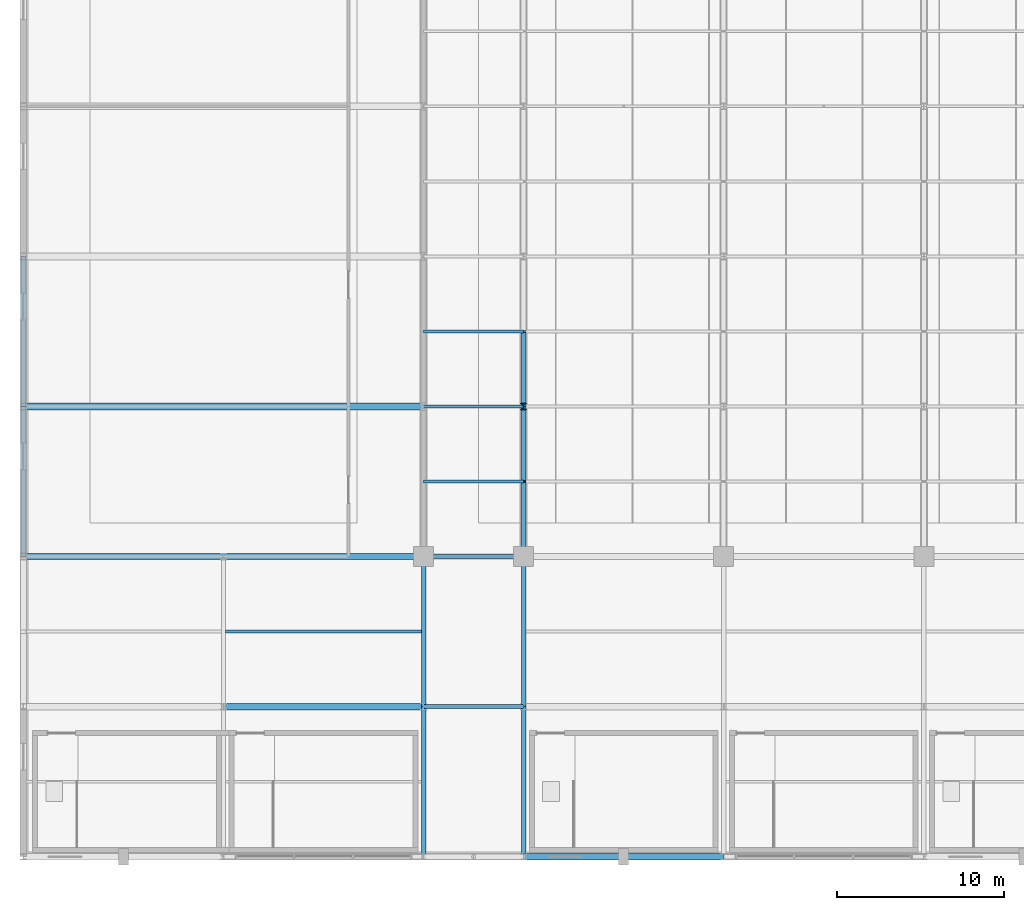
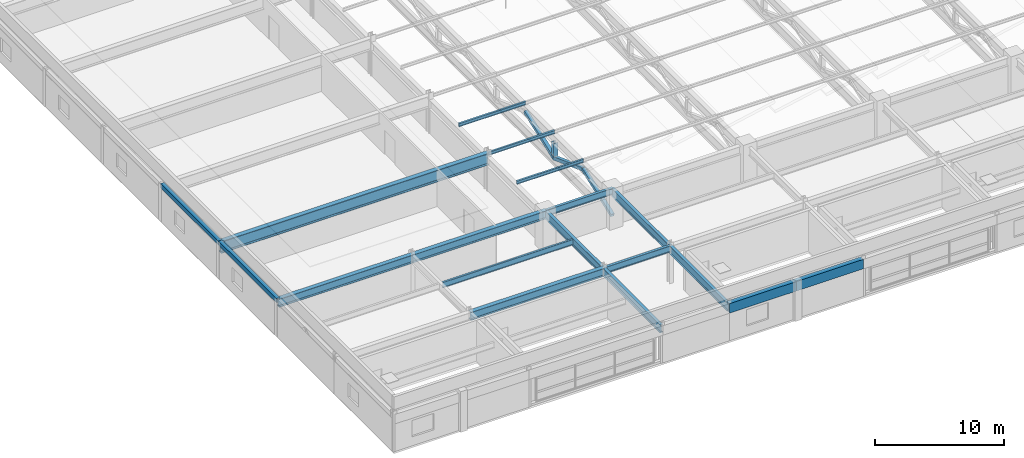
# One storey, part 22 of 108: 15 beams, 7 members.
"""IFC4 building model written with IfcOpenShell, lengths in metres."""

from ifc_helpers import new_model, si_unit, direction, frame, origin, origin_2d, place, context, subcontext, project, spatial, rectangle, hollow_rectangle, i_section, extrude, material, material_profile, profile_set, type_object, element, save


model = new_model("IFC4")

# Units and contexts
model_context = context("Model", 3, precision=1e-05, world=origin(), true_north=direction((0.0, 1.0)))
body_context = subcontext(model_context, "Body", "Model", "MODEL_VIEW")
ifc_project = project(units=[si_unit("LENGTHUNIT", "METRE"), si_unit("AREAUNIT", "SQUARE_METRE"), si_unit("VOLUMEUNIT", "CUBIC_METRE"), si_unit("PLANEANGLEUNIT", "RADIAN"), si_unit("MASSUNIT", "GRAM", prefix="KILO")], contexts=[model_context])

# Site, building, storey
site_placement = place(None, origin())
site = spatial("IfcSite", under=ifc_project, at=site_placement, CompositionType="ELEMENT")
building_placement = place(site_placement, origin())
building = spatial("IfcBuilding", under=site, at=building_placement, Name="Kaldorvane Square Convention Centre", CompositionType="ELEMENT")
storey_placement = place(building_placement, frame((0.0, 0.0, 23.399993896484375)))
storey = spatial("IfcBuildingStorey", under=building, at=storey_placement, Name="L04", CompositionType="ELEMENT", Elevation=23.399993896484375)

# Beams
ifc_material_1 = material(Name="Steel ASTM A992 Gr. 50", Category="steel")
ifc_material_profile_1 = material_profile(ifc_material_1, i_section(OverallWidth=0.2303009033203125, OverallDepth=0.61749267578125, WebThickness=0.0131072998046875, FlangeThickness=0.0222015380859375, FilletRadius=0.0126953125, at=origin_2d()), Name="W24X94")
ifc_profile_set_1 = profile_set([ifc_material_profile_1], Name="Steel ASTM A992 Gr. 50")
beam_type_1 = type_object("IfcBeamType", Name="BM-GR-W24X94", PredefinedType="BEAM", material=ifc_profile_set_1)
for number, where, z_axis, x_axis, name in (
    (1, (24.0, 9.0, 3.2172088623046875), (1.0, 0.0, 0.0), (0.0, 1.0, 0.0), "Primary Girder (L04)"),
    (2, (24.0, 18.0, 3.2172088623046875), (1.0, 0.0, 0.0), (0.0, 1.0, 0.0), "Primary Girder (L04)"),
):
    element("IfcBeam", number, at=place(storey_placement, frame(where, z_axis=z_axis, x_axis=x_axis)), inside=storey, type_object=beam_type_1, Name=name, PredefinedType="BEAM", context=body_context, shape_type="SweptSolid", body=[
        extrude(i_section(OverallWidth=0.2303009033203125, OverallDepth=0.61749267578125, WebThickness=0.0131072998046875, FlangeThickness=0.0222015380859375, FilletRadius=0.0126953125, at=origin_2d()), origin(), (0.0, 0.0, 1.0), 6.0),
    ])
ifc_material_profile_2 = material_profile(ifc_material_1, i_section(OverallWidth=0.2666015625, OverallDepth=0.762298583984375, WebThickness=0.014404296875, FlangeThickness=0.0216064453125, FilletRadius=0.0164947509765625, at=origin_2d()), Name="W30X116")
ifc_profile_set_2 = profile_set([ifc_material_profile_2], Name="Steel ASTM A992 Gr. 50")
beam_type_2 = type_object("IfcBeamType", Name="BM-GR-W30X116", PredefinedType="BEAM", material=ifc_profile_set_2)
for number, where, z_axis, x_axis, name in (
    (3, (24.0, 0.0, 3.144805908203125), (0.0, 1.0, 0.0), (-1.0, 0.0, 0.0), "Transverse Girder (L04)"),
    (4, (24.0, 9.0, 3.144805908203125), (0.0, 1.0, 0.0), (-1.0, 0.0, 0.0), "Transverse Girder (L04)"),
    (5, (30.0, 0.0, 3.144805908203125), (0.0, 1.0, 0.0), (-1.0, 0.0, 0.0), "Transverse Girder (L04)"),
    (6, (30.0, 9.0, 3.144805908203125), (0.0, 1.0, 0.0), (-1.0, 0.0, 0.0), "Transverse Girder (L04)"),
):
    element("IfcBeam", number, at=place(storey_placement, frame(where, z_axis=z_axis, x_axis=x_axis)), inside=storey, type_object=beam_type_2, Name=name, PredefinedType="BEAM", context=body_context, shape_type="SweptSolid", body=[
        extrude(i_section(OverallWidth=0.2666015625, OverallDepth=0.762298583984375, WebThickness=0.014404296875, FlangeThickness=0.0216064453125, FilletRadius=0.0164947509765625, at=origin_2d()), origin(), (0.0, 0.0, 1.0), 9.0),
    ])
ifc_material_profile_3 = material_profile(ifc_material_1, i_section(OverallWidth=0.380706787109375, OverallDepth=0.773193359375, WebThickness=0.0166015625, FlangeThickness=0.027099609375, FilletRadius=0.0164947509765625, at=origin_2d()), Name="W30X173")
ifc_profile_set_3 = profile_set([ifc_material_profile_3], Name="Steel ASTM A992 Gr. 50")
beam_type_3 = type_object("IfcBeamType", Name="BM-GR-W30X173", PredefinedType="BEAM", material=ifc_profile_set_3)
for number, where, z_axis, x_axis, name in (
    (7, (12.0, 9.0, 3.139404296875), (1.0, 0.0, 0.0), (0.0, 1.0, 0.0), "Primary Girder (L04)"),
    (8, (0.0, 18.0, 3.139404296875), (1.0, 0.0, 0.0), (0.0, 1.0, 0.0), "Primary Girder (L04)"),
    (9, (12.0, 18.0, 3.139404296875), (1.0, 0.0, 0.0), (0.0, 1.0, 0.0), "Primary Girder (L04)"),
):
    element("IfcBeam", number, at=place(storey_placement, frame(where, z_axis=z_axis, x_axis=x_axis)), inside=storey, type_object=beam_type_3, Name=name, PredefinedType="BEAM", context=body_context, shape_type="SweptSolid", body=[
        extrude(i_section(OverallWidth=0.380706787109375, OverallDepth=0.773193359375, WebThickness=0.0166015625, FlangeThickness=0.027099609375, FilletRadius=0.0164947509765625, at=origin_2d()), origin(), (0.0, 0.0, 1.0), 12.0),
    ])
ifc_material_profile_4 = material_profile(ifc_material_1, i_section(OverallWidth=0.404998779296875, OverallDepth=1.1179962158203125, WebThickness=0.0261993408203125, FlangeThickness=0.0449981689453125, FilletRadius=0.0254058837890625, at=origin_2d()), Name="W44X335")
ifc_profile_set_4 = profile_set([ifc_material_profile_4], Name="Steel ASTM A992 Gr. 50")
beam_type_4 = type_object("IfcBeamType", Name="BM-GR-W44X335", PredefinedType="BEAM", material=ifc_profile_set_4)
beam_1_placement = place(storey_placement, frame((0.0, 27.0, 2.967010498046875), z_axis=(1.0, 0.0, 0.0), x_axis=(0.0, 1.0, 0.0)))
element("IfcBeam", 10, at=beam_1_placement, inside=storey, type_object=beam_type_4, Name="Service Yard Long-Span Girder (L04)", PredefinedType="BEAM", context=body_context, shape_type="SweptSolid", body=[
    extrude(i_section(OverallWidth=0.404998779296875, OverallDepth=1.1179962158203125, WebThickness=0.0261993408203125, FlangeThickness=0.0449981689453125, FilletRadius=0.0254058837890625, at=origin_2d()), origin(), (0.0, 0.0, 1.0), 24.0),
])
ifc_material_profile_5 = material_profile(ifc_material_1, i_section(OverallWidth=0.1658935546875, OverallDepth=0.5290985107421875, WebThickness=0.00970458984375, FlangeThickness=0.0135955810546875, FilletRadius=0.0126953125, at=origin_2d()), Name="W21X50")
ifc_profile_set_5 = profile_set([ifc_material_profile_5], Name="Steel ASTM A992 Gr. 50")
beam_type_5 = type_object("IfcBeamType", Name="BM-JS-W21X50", PredefinedType="JOIST", material=ifc_profile_set_5)
beam_2_placement = place(storey_placement, frame((12.13330078125, 13.5, 3.26141357421875), z_axis=(1.0, 0.0, 0.0), x_axis=(0.0, 1.0, 0.0)))
element("IfcBeam", 11, at=beam_2_placement, inside=storey, type_object=beam_type_5, Name="Secondary Floor Joist (L04)", PredefinedType="JOIST", context=body_context, shape_type="SweptSolid", body=[
    extrude(i_section(OverallWidth=0.1658935546875, OverallDepth=0.5290985107421875, WebThickness=0.00970458984375, FlangeThickness=0.0135955810546875, FilletRadius=0.0126953125, at=origin_2d()), origin(), (0.0, 0.0, 1.0), 11.7333984375),
])
ifc_material_2 = material(Name="Steel ASTM A500 Gr. C", Category="steel")
ifc_material_profile_6 = material_profile(ifc_material_2, hollow_rectangle(XDim=0.3047943115234375, YDim=0.406402587890625, WallThickness=0.0117950439453125, at=origin_2d()), Name="HSS16X12X1/2")
ifc_profile_set_6 = profile_set([ifc_material_profile_6], Name="Steel ASTM A500 Gr. C")
beam_type_6 = type_object("IfcBeamType", Name="BM-SP-HSS16", PredefinedType="SPANDREL", material=ifc_profile_set_6)
for number, where, z_axis, x_axis, name in (
    (12, (0.0, 18.0, 3.3227996826171875), (0.0, 1.0, 0.0), (-1.0, 0.0, 0.0), "End Spandrel (L04)"),
    (13, (0.0, 27.0, 3.3227996826171875), (0.0, 1.0, 0.0), (-1.0, 0.0, 0.0), "End Spandrel (L04)"),
):
    element("IfcBeam", number, at=place(storey_placement, frame(where, z_axis=z_axis, x_axis=x_axis)), inside=storey, type_object=beam_type_6, Name=name, PredefinedType="SPANDREL", context=body_context, shape_type="SweptSolid", body=[
        extrude(hollow_rectangle(XDim=0.3047943115234375, YDim=0.406402587890625, WallThickness=0.0117950439453125, at=origin_2d()), origin(), (0.0, 0.0, 1.0), 9.0),
    ])
ifc_material_3 = material(Name="Concrete f'c = 42 MPa (Normalweight)", Category="concrete")
ifc_material_profile_7 = material_profile(ifc_material_3, rectangle(XDim=0.399993896484375, YDim=0.899993896484375, at=origin_2d()), Name="RCSP900X400")
ifc_profile_set_7 = profile_set([ifc_material_profile_7], Name="Concrete f'c = 42 MPa (Normalweight)")
beam_type_7 = type_object("IfcBeamType", Name="BM-SP-RC900", PredefinedType="SPANDREL", material=ifc_profile_set_7)
for number, where, z_axis, x_axis, name in (
    (14, (30.0, 0.0, 3.0760040283203125), (1.0, 0.0, 0.0), (0.0, 1.0, 0.0), "Perimeter Spandrel (L04)"),
    (15, (36.0, 0.0, 3.0760040283203125), (1.0, 0.0, 0.0), (0.0, 1.0, 0.0), "Perimeter Spandrel (L04)"),
):
    element("IfcBeam", number, at=place(storey_placement, frame(where, z_axis=z_axis, x_axis=x_axis)), inside=storey, type_object=beam_type_7, Name=name, PredefinedType="SPANDREL", context=body_context, shape_type="SweptSolid", body=[
        extrude(rectangle(XDim=0.399993896484375, YDim=0.899993896484375, at=origin_2d()), origin(), (0.0, 0.0, 1.0), 6.0),
    ])

# Members
ifc_material_profile_8 = material_profile(ifc_material_2, hollow_rectangle(XDim=0.3047943115234375, YDim=0.3047943115234375, WallThickness=0.0117950439453125, at=origin_2d()), Name="HSS12X12X1/2")
ifc_profile_set_8 = profile_set([ifc_material_profile_8], Name="Steel ASTM A500 Gr. C")
member_type_1 = type_object("IfcMemberType", Name="MB-BR-HSS12", PredefinedType="BRACE", material=ifc_profile_set_8)
for number, where, z_axis, x_axis, name in (
    (16, (30.0, 18.0, 0.8800048828125), (0.0, 0.937283847769, 0.348567050524), (-1.0, 0.0, 0.0), "Hall Roof Truss RT-01 Web 1A"),
    (17, (30.0, 22.5, 2.5535125732421875), (0.0, 0.937283847769, -0.348567050524), (-1.0, 0.0, 0.0), "Hall Roof Truss RT-01 Web 1B"),
    (18, (30.0, 27.0, 0.8800048828125), (0.0, 0.937283847769, 0.348567050524), (-1.0, 0.0, 0.0), "Hall Roof Truss RT-01 Web 2A"),
):
    element("IfcMember", number, at=place(storey_placement, frame(where, z_axis=z_axis, x_axis=x_axis)), inside=storey, type_object=member_type_1, Name=name, PredefinedType="BRACE", context=body_context, shape_type="SweptSolid", body=[
        extrude(hollow_rectangle(XDim=0.3047943115234375, YDim=0.3047943115234375, WallThickness=0.0117950439453125, at=origin_2d()), origin(), (0.0, 0.0, 1.0), 4.8011016845703125),
    ])
ifc_material_profile_9 = material_profile(ifc_material_1, i_section(OverallWidth=0.164794921875, OverallDepth=0.310394287109375, WebThickness=0.00579833984375, FlangeThickness=0.00970458984375, FilletRadius=0.007598876953125, at=origin_2d()), Name="W12X26")
ifc_profile_set_9 = profile_set([ifc_material_profile_9], Name="Steel ASTM A992 Gr. 50")
member_type_2 = type_object("IfcMemberType", Name="MB-PR-W12X26", PredefinedType="PURLIN", material=ifc_profile_set_9)
for number, where, z_axis, x_axis, name in (
    (19, (24.0, 22.5, 3.3628082275390625), (1.0, 0.0, 0.0), (0.0, 1.0, 0.0), "Hall Roof Steel Purlin"),
    (20, (24.0, 27.0, 3.3628082275390625), (1.0, 0.0, 0.0), (0.0, 1.0, 0.0), "Hall Roof Steel Purlin"),
    (21, (24.0, 31.5, 3.3628082275390625), (1.0, 0.0, 0.0), (0.0, 1.0, 0.0), "Hall Roof Steel Purlin"),
):
    element("IfcMember", number, at=place(storey_placement, frame(where, z_axis=z_axis, x_axis=x_axis)), inside=storey, type_object=member_type_2, Name=name, PredefinedType="PURLIN", context=body_context, shape_type="SweptSolid", body=[
        extrude(i_section(OverallWidth=0.164794921875, OverallDepth=0.310394287109375, WebThickness=0.00579833984375, FlangeThickness=0.00970458984375, FilletRadius=0.007598876953125, at=origin_2d()), origin(), (0.0, 0.0, 1.0), 6.0),
    ])
ifc_material_profile_10 = material_profile(ifc_material_1, i_section(OverallWidth=0.373992919921875, OverallDepth=0.372406005859375, WebThickness=0.0164031982421875, FlangeThickness=0.0261993408203125, FilletRadius=0.0305023193359375, at=origin_2d()), Name="W14X132")
ifc_profile_set_10 = profile_set([ifc_material_profile_10], Name="Steel ASTM A992 Gr. 50")
member_type_3 = type_object("IfcMemberType", Name="MB-PS-W14X132", PredefinedType="POST", material=ifc_profile_set_10)
member_placement = place(storey_placement, frame((30.0, 27.0, 1.0500030517578125), z_axis=(0.0, 0.0, 1.0), x_axis=(1.0, 0.0, 0.0)))
element("IfcMember", 22, at=member_placement, inside=storey, type_object=member_type_3, Name="Hall Roof Truss RT-01 Post 1", PredefinedType="POST", context=body_context, shape_type="SweptSolid", body=[
    extrude(i_section(OverallWidth=0.373992919921875, OverallDepth=0.372406005859375, WebThickness=0.0164031982421875, FlangeThickness=0.0261993408203125, FilletRadius=0.0305023193359375, at=origin_2d()), origin(), (0.0, 0.0, 1.0), 1.33349609375),
])

save(model, "model.ifc")
